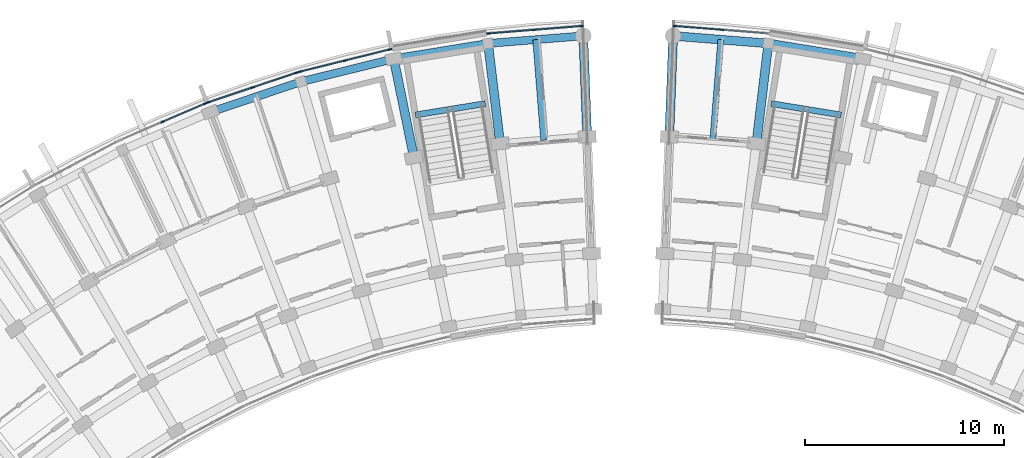
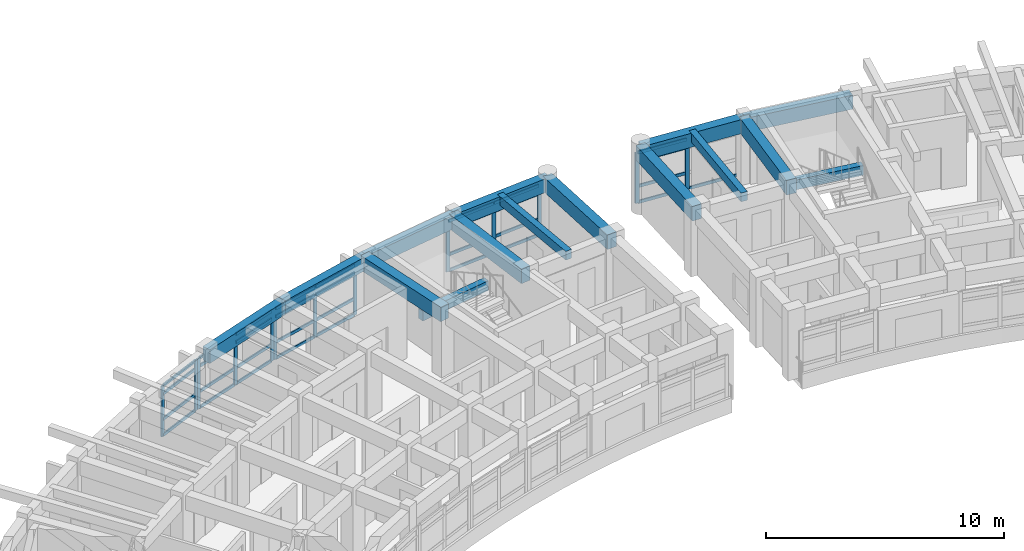
# One storey, part 27 of 83: 46 members, 15 beams, 5 elements without a shape of their own.
"""IFC4 building model written with IfcOpenShell, lengths in metres."""

from ifc_helpers import new_model, si_unit, direction, frame, origin, origin_2d, place, context, subcontext, project, spatial, rectangle, extrude, material, material_profile, profile_set, type_object, element, aggregate, save


model = new_model("IFC4")

# Units and contexts
model_context = context("Model", 3, precision=1e-05, world=origin(), true_north=direction((0.0, 1.0)))
body_context = subcontext(model_context, "Body", "Model", "MODEL_VIEW")
ifc_project = project(units=[si_unit("LENGTHUNIT", "METRE"), si_unit("AREAUNIT", "SQUARE_METRE"), si_unit("VOLUMEUNIT", "CUBIC_METRE"), si_unit("PLANEANGLEUNIT", "RADIAN"), si_unit("MASSUNIT", "GRAM", prefix="KILO")], contexts=[model_context])

# Site, building, storey
site_placement = place(None, origin())
site = spatial("IfcSite", under=ifc_project, at=site_placement, CompositionType="ELEMENT")
building_placement = place(site_placement, origin())
building = spatial("IfcBuilding", under=site, at=building_placement, Name="Zimvara Arc Housing Community", CompositionType="ELEMENT")
storey_placement = place(building_placement, frame((0.0, 0.0, 4.5)))
storey = spatial("IfcBuildingStorey", under=building, at=storey_placement, Name="L01", CompositionType="ELEMENT", Elevation=4.5)

# Beams
ifc_material_1 = material(Name="Concrete C40/50", Category="concrete")
ifc_material_profile_1 = material_profile(ifc_material_1, rectangle(XDim=0.300048828125, YDim=0.449951171875, at=origin_2d()), Name="RC 300x450")
ifc_profile_set_1 = profile_set([ifc_material_profile_1], Name="Concrete C40/50")
beam_type_1 = type_object("IfcBeamType", Name="BM-RC-300x450", PredefinedType="JOIST", material=ifc_profile_set_1)
for number, where, z_axis, x_axis, name in (
    (1, (40.7451171875, 98.08642578125, 3.135009765625), (-0.079171686291, 0.99686099537, 0.0), (-0.99686099537, -0.079171686291, 0.0), "bm:blkA:L01:joist:b9"),
    (2, (49.2548828125, 98.08642578125, 3.135009765625), (0.079171686291, 0.99686099537, 0.0), (-0.99686099537, 0.079171686291, 0.0), "bm:blkB:L01:joist:b0"),
):
    element("IfcBeam", number, at=place(storey_placement, frame(where, z_axis=z_axis, x_axis=x_axis)), inside=storey, type_object=beam_type_1, Name=name, PredefinedType="JOIST", context=body_context, shape_type="SweptSolid", body=[
        extrude(rectangle(XDim=0.300048828125, YDim=0.449951171875, at=origin_2d()), origin(), (0.0, 0.0, 1.0), 5.07568359375),
    ])
ifc_material_2 = material(Name="Concrete C40/50", Category="concrete")
ifc_material_profile_2 = material_profile(ifc_material_2, rectangle(XDim=0.300048828125, YDim=0.5, at=origin_2d()), Name="RC 300x500")
ifc_profile_set_2 = profile_set([ifc_material_profile_2], Name="Concrete C40/50")
beam_type_2 = type_object("IfcBeamType", Name="BM-RC-300x500", PredefinedType="BEAM", material=ifc_profile_set_2)
for number, where, z_axis, x_axis, name in (
    (3, (37.81103515625, 99.92919921875, 1.550048828125), (-0.987080057935, -0.160227835371, 0.0), (0.160227835371, -0.987080057935, 0.0), "bm:stair_trim:ST-A2:L01:mid"),
    (4, (55.712890625, 99.357177734375, 1.550048828125), (-0.987080057935, 0.160227835371, 0.0), (-0.160227835371, -0.987080057935, 0.0), "bm:stair_trim:ST-B1:L01:mid"),
):
    element("IfcBeam", number, at=place(storey_placement, frame(where, z_axis=z_axis, x_axis=x_axis)), inside=storey, type_object=beam_type_2, Name=name, PredefinedType="BEAM", context=body_context, shape_type="SweptSolid", body=[
        extrude(rectangle(XDim=0.300048828125, YDim=0.5, at=origin_2d()), origin(), (0.0, 0.0, 1.0), 3.570068359375),
    ])
ifc_material_3 = material(Name="Concrete C40/50", Category="concrete")
ifc_material_profile_3 = material_profile(ifc_material_3, rectangle(XDim=0.39990234375, YDim=0.699951171875, at=origin_2d()), Name="RC 400x700")
ifc_profile_set_3 = profile_set([ifc_material_profile_3], Name="Concrete C40/50")
beam_type_3 = type_object("IfcBeamType", Name="BM-RC-400x700", PredefinedType="BEAM", material=ifc_profile_set_3)
beam_1_placement = place(storey_placement, frame((23.97607421875, 99.49853515625, 3.010009765625), z_axis=(0.947877948153, 0.31863363822, 0.0), x_axis=(-0.31863363822, 0.947877948153, 0.0)))
element("IfcBeam", 5, at=beam_1_placement, inside=storey, type_object=beam_type_3, Name="bm:blkA:L01:chord:r3:b6", PredefinedType="BEAM", context=body_context, shape_type="SweptSolid", body=[
    extrude(rectangle(XDim=0.39990234375, YDim=0.699951171875, at=origin_2d()), origin(), (0.0, 0.0, 1.0), 4.807861328125),
])
beam_2_placement = place(storey_placement, frame((28.533447265625, 101.030517578125, 3.010009765625), z_axis=(0.970716235341, 0.240229037474, 0.0), x_axis=(-0.240229037474, 0.970716235341, 0.0)))
element("IfcBeam", 6, at=beam_2_placement, inside=storey, type_object=beam_type_3, Name="bm:blkA:L01:chord:r3:b7", PredefinedType="BEAM", context=body_context, shape_type="SweptSolid", body=[
    extrude(rectangle(XDim=0.39990234375, YDim=0.699951171875, at=origin_2d()), origin(), (0.0, 0.0, 1.0), 4.80810546875),
])
beam_3_placement = place(storey_placement, frame((33.20068359375, 102.185546875, 3.010009765625), z_axis=(0.987076839731, 0.160247659784, 0.0), x_axis=(-0.160247659784, 0.987076839731, 0.0)))
element("IfcBeam", 7, at=beam_3_placement, inside=storey, type_object=beam_type_3, Name="bm:blkA:L01:chord:r3:b8", PredefinedType="BEAM", context=body_context, shape_type="SweptSolid", body=[
    extrude(rectangle(XDim=0.39990234375, YDim=0.699951171875, at=origin_2d()), origin(), (0.0, 0.0, 1.0), 4.808349609375),
])
beam_4_placement = place(storey_placement, frame((37.94677734375, 102.9560546875, 3.010009765625), z_axis=(0.996861768207, 0.0791619548, 0.0), x_axis=(-0.0791619548, 0.996861768207, 0.0)))
element("IfcBeam", 8, at=beam_4_placement, inside=storey, type_object=beam_type_3, Name="bm:blkA:L01:chord:r3:b9", PredefinedType="BEAM", context=body_context, shape_type="SweptSolid", body=[
    extrude(rectangle(XDim=0.39990234375, YDim=0.699951171875, at=origin_2d()), origin(), (0.0, 0.0, 1.0), 4.80810546875),
])
ifc_material_4 = material(Name="Concrete C40/50", Category="concrete")
ifc_material_profile_4 = material_profile(ifc_material_4, rectangle(XDim=0.43994140625, YDim=0.719970703125, at=origin_2d()), Name="RC 440x720")
ifc_profile_set_4 = profile_set([ifc_material_profile_4], Name="Concrete C40/50")
beam_type_4 = type_object("IfcBeamType", Name="BM-RC-440x720", PredefinedType="BEAM", material=ifc_profile_set_4)
beam_5_placement = place(storey_placement, frame((47.26025390625, 103.336669921875, 3.0), z_axis=(0.996861768207, -0.0791619548, 0.0), x_axis=(0.0791619548, 0.996861768207, 0.0)))
element("IfcBeam", 9, at=beam_5_placement, inside=storey, type_object=beam_type_4, Name="bm:blkB:L01:chord:r3:b0", PredefinedType="BEAM", context=body_context, shape_type="SweptSolid", body=[
    extrude(rectangle(XDim=0.43994140625, YDim=0.719970703125, at=origin_2d()), origin(), (0.0, 0.0, 1.0), 4.80810546875),
])
beam_6_placement = place(storey_placement, frame((52.05322265625, 102.9560546875, 3.0), z_axis=(0.987076839731, -0.160247659784, 0.0), x_axis=(0.160247659784, 0.987076839731, 0.0)))
element("IfcBeam", 10, at=beam_6_placement, inside=storey, type_object=beam_type_4, Name="bm:blkB:L01:chord:r3:b1", PredefinedType="BEAM", context=body_context, shape_type="SweptSolid", body=[
    extrude(rectangle(XDim=0.43994140625, YDim=0.719970703125, at=origin_2d()), origin(), (0.0, 0.0, 1.0), 4.808349609375),
])
ifc_material_5 = material(Name="Concrete C40/50", Category="concrete")
ifc_material_profile_5 = material_profile(ifc_material_5, rectangle(XDim=0.449951171875, YDim=0.75, at=origin_2d()), Name="RC 450x750")
ifc_profile_set_5 = profile_set([ifc_material_profile_5], Name="Concrete C40/50")
beam_type_5 = type_object("IfcBeamType", Name="BM-RC-450x750", PredefinedType="BEAM", material=ifc_profile_set_5)
beam_7_placement = place(storey_placement, frame((34.21875, 97.208740234375, 2.985107421875), z_axis=(-0.200411962389, 0.97971171542, 0.0), x_axis=(-0.97971171542, -0.200411962389, 0.0)))
element("IfcBeam", 11, at=beam_7_placement, inside=storey, type_object=beam_type_5, Name="bm:blkA:L01:rad:b8:r23", PredefinedType="BEAM", context=body_context, shape_type="SweptSolid", body=[
    extrude(rectangle(XDim=0.449951171875, YDim=0.75, at=origin_2d()), origin(), (0.0, 0.0, 1.0), 5.079833984375),
])
for number, where, z_axis, x_axis, name in (
    (12, (38.55517578125, 97.91259765625, 2.985107421875), (-0.119762990499, 0.99280251113, 0.0), (-0.99280251113, -0.119762990499, 0.0), "bm:blkA:L01:rad:b9:r23"),
    (13, (42.934814453125, 98.26025390625, 2.985107421875), (-0.038398054907, 0.999262522753, 0.0), (-0.999262522753, -0.038398054907, 0.0), "bm:blkA:L01:rad:b10:r23"),
    (14, (47.065185546875, 98.26025390625, 2.985107421875), (0.038398054907, 0.999262522753, 0.0), (-0.999262522753, 0.038398054907, 0.0), "bm:blkB:L01:rad:b0:r23"),
    (15, (51.44482421875, 97.91259765625, 2.985107421875), (0.119762990499, 0.99280251113, 0.0), (-0.99280251113, 0.119762990499, 0.0), "bm:blkB:L01:rad:b1:r23"),
):
    element("IfcBeam", number, at=place(storey_placement, frame(where, z_axis=z_axis, x_axis=x_axis)), inside=storey, type_object=beam_type_5, Name=name, PredefinedType="BEAM", context=body_context, shape_type="SweptSolid", body=[
        extrude(rectangle(XDim=0.449951171875, YDim=0.75, at=origin_2d()), origin(), (0.0, 0.0, 1.0), 5.080078125),
    ])

# Curtain wall, members
ifc_material_6 = material(Name="Anodised Aluminium AW-6063", Category="aluminium")
curtain_wall_type_1 = type_object("IfcCurtainWallType", Name="CW-SYS-01", PredefinedType="USERDEFINED", material=ifc_material_6)
curtain_wall_1_placement = place(storey_placement, origin())
curtain_wall_1 = element("IfcCurtainWall", 16, at=curtain_wall_1_placement, inside=storey, type_object=curtain_wall_type_1, Name="cw:blkA:L01:out:b5", ObjectType="CURTAIN WALL", PredefinedType="USERDEFINED")
ifc_material_7 = material(Name="Anodised Aluminium AW-6063", Category="aluminium")
ifc_material_profile_6 = material_profile(ifc_material_7, rectangle(XDim=0.06494140625, YDim=0.195068359375, at=origin_2d()), Name="ALU 65x195")
ifc_profile_set_6 = profile_set([ifc_material_profile_6], Name="Anodised Aluminium AW-6063")
member_type_1 = type_object("IfcMemberType", Name="CWM-65x180", PredefinedType="MULLION", material=ifc_profile_set_6)
member_1_placement = place(storey_placement, frame((21.570068359375, 99.00830078125, 0.0), z_axis=(0.0, 0.0, 1.0), x_axis=(-0.394904211998, 0.918722299363, 0.0)))
member_1 = element("IfcMember", 17, at=member_1_placement, type_object=member_type_1, Name="CW01 mullion 2", PredefinedType="MULLION", context=body_context, shape_type="SweptSolid", body=[
    extrude(rectangle(XDim=0.06494140625, YDim=0.195068359375, at=origin_2d()), origin(), (0.0, 0.0, 1.0), 2.60009765625),
])
member_2_placement = place(storey_placement, frame((23.712646484375, 99.92919921875, 0.0), z_axis=(0.0, 0.0, 1.0), x_axis=(-0.394904211998, 0.918722299363, 0.0)))
member_2 = element("IfcMember", 18, at=member_2_placement, type_object=member_type_1, Name="CW01 mullion 3", PredefinedType="MULLION", context=body_context, shape_type="SweptSolid", body=[
    extrude(rectangle(XDim=0.06494140625, YDim=0.195068359375, at=origin_2d()), origin(), (0.0, 0.0, 1.0), 2.60009765625),
])

ifc_material_8 = material(Name="Anodised Aluminium AW-6063", Category="aluminium")
curtain_wall_type_2 = type_object("IfcCurtainWallType", Name="CW-SYS-03", PredefinedType="USERDEFINED", material=ifc_material_8)
curtain_wall_2_placement = place(storey_placement, origin())
curtain_wall_2 = element("IfcCurtainWall", 19, at=curtain_wall_2_placement, inside=storey, type_object=curtain_wall_type_2, Name="cw:blkA:L01:out:b6", ObjectType="CURTAIN WALL", PredefinedType="USERDEFINED")
member_3_placement = place(storey_placement, frame((23.88525390625, 99.9951171875, 0.0), z_axis=(0.0, 0.0, 1.0), x_axis=(-0.318628583921, 0.947879647164, 0.0)))
member_3 = element("IfcMember", 20, at=member_3_placement, type_object=member_type_1, Name="CW03 mullion 1", PredefinedType="MULLION", context=body_context, shape_type="SweptSolid", body=[
    extrude(rectangle(XDim=0.06494140625, YDim=0.195068359375, at=origin_2d()), origin(), (0.0, 0.0, 1.0), 2.60009765625),
])
member_4_placement = place(storey_placement, frame((26.095703125, 100.73828125, 0.0), z_axis=(0.0, 0.0, 1.0), x_axis=(-0.318628583921, 0.947879647164, 0.0)))
member_4 = element("IfcMember", 21, at=member_4_placement, type_object=member_type_1, Name="CW03 mullion 2", PredefinedType="MULLION", context=body_context, shape_type="SweptSolid", body=[
    extrude(rectangle(XDim=0.06494140625, YDim=0.195068359375, at=origin_2d()), origin(), (0.0, 0.0, 1.0), 2.60009765625),
])
member_5_placement = place(storey_placement, frame((28.305908203125, 101.481201171875, 0.0), z_axis=(0.0, 0.0, 1.0), x_axis=(-0.318628583921, 0.947879647164, 0.0)))
member_5 = element("IfcMember", 22, at=member_5_placement, type_object=member_type_1, Name="CW03 mullion 3", PredefinedType="MULLION", context=body_context, shape_type="SweptSolid", body=[
    extrude(rectangle(XDim=0.06494140625, YDim=0.195068359375, at=origin_2d()), origin(), (0.0, 0.0, 1.0), 2.60009765625),
])

ifc_material_9 = material(Name="Anodised Aluminium AW-6063", Category="aluminium")
curtain_wall_type_3 = type_object("IfcCurtainWallType", Name="CW-SYS-05", PredefinedType="USERDEFINED", material=ifc_material_9)
curtain_wall_3_placement = place(storey_placement, origin())
curtain_wall_3 = element("IfcCurtainWall", 23, at=curtain_wall_3_placement, inside=storey, type_object=curtain_wall_type_3, Name="cw:blkA:L01:out:b7", ObjectType="CURTAIN WALL", PredefinedType="USERDEFINED")
member_6_placement = place(storey_placement, frame((28.4833984375, 101.532958984375, 0.0), z_axis=(0.0, 0.0, 1.0), x_axis=(-0.240229711131, 0.970716068627, 0.0)))
member_6 = element("IfcMember", 24, at=member_6_placement, type_object=member_type_1, Name="CW05 mullion 1", PredefinedType="MULLION", context=body_context, shape_type="SweptSolid", body=[
    extrude(rectangle(XDim=0.06494140625, YDim=0.195068359375, at=origin_2d()), origin(), (0.0, 0.0, 1.0), 2.60009765625),
])
member_7_placement = place(storey_placement, frame((30.7470703125, 102.093017578125, 0.0), z_axis=(0.0, 0.0, 1.0), x_axis=(-0.240229711131, 0.970716068627, 0.0)))
member_7 = element("IfcMember", 25, at=member_7_placement, type_object=member_type_1, Name="CW05 mullion 2", PredefinedType="MULLION", context=body_context, shape_type="SweptSolid", body=[
    extrude(rectangle(XDim=0.06494140625, YDim=0.195068359375, at=origin_2d()), origin(), (0.0, 0.0, 1.0), 2.60009765625),
])
member_8_placement = place(storey_placement, frame((33.0107421875, 102.6533203125, 0.0), z_axis=(0.0, 0.0, 1.0), x_axis=(-0.240229711131, 0.970716068627, 0.0)))
member_8 = element("IfcMember", 26, at=member_8_placement, type_object=member_type_1, Name="CW05 mullion 3", PredefinedType="MULLION", context=body_context, shape_type="SweptSolid", body=[
    extrude(rectangle(XDim=0.06494140625, YDim=0.195068359375, at=origin_2d()), origin(), (0.0, 0.0, 1.0), 2.60009765625),
])

ifc_material_10 = material(Name="Anodised Aluminium AW-6063", Category="aluminium")
curtain_wall_type_4 = type_object("IfcCurtainWallType", Name="CW-SYS-07", PredefinedType="USERDEFINED", material=ifc_material_10)
curtain_wall_4_placement = place(storey_placement, origin())
curtain_wall_4 = element("IfcCurtainWall", 27, at=curtain_wall_4_placement, inside=storey, type_object=curtain_wall_type_4, Name="cw:blkA:L01:out:b9", ObjectType="CURTAIN WALL", PredefinedType="USERDEFINED")
member_9_placement = place(storey_placement, frame((37.97900390625, 103.459716796875, 0.0), z_axis=(0.0, 0.0, 1.0), x_axis=(-0.079153759607, 0.996862418963, 0.0)))
member_9 = element("IfcMember", 28, at=member_9_placement, type_object=member_type_1, Name="CW07 mullion 1", PredefinedType="MULLION", context=body_context, shape_type="SweptSolid", body=[
    extrude(rectangle(XDim=0.06494140625, YDim=0.195068359375, at=origin_2d()), origin(), (0.0, 0.0, 1.0), 2.60009765625),
])
member_10_placement = place(storey_placement, frame((40.3037109375, 103.644287109375, 0.0), z_axis=(0.0, 0.0, 1.0), x_axis=(-0.079153759607, 0.996862418963, 0.0)))
member_10 = element("IfcMember", 29, at=member_10_placement, type_object=member_type_1, Name="CW07 mullion 2", PredefinedType="MULLION", context=body_context, shape_type="SweptSolid", body=[
    extrude(rectangle(XDim=0.06494140625, YDim=0.195068359375, at=origin_2d()), origin(), (0.0, 0.0, 1.0), 2.60009765625),
])
member_11_placement = place(storey_placement, frame((42.62841796875, 103.828857421875, 0.0), z_axis=(0.0, 0.0, 1.0), x_axis=(-0.079153759607, 0.996862418963, 0.0)))
member_11 = element("IfcMember", 30, at=member_11_placement, type_object=member_type_1, Name="CW07 mullion 3", PredefinedType="MULLION", context=body_context, shape_type="SweptSolid", body=[
    extrude(rectangle(XDim=0.06494140625, YDim=0.195068359375, at=origin_2d()), origin(), (0.0, 0.0, 1.0), 2.60009765625),
])

curtain_wall_5_placement = place(storey_placement, origin())
curtain_wall_5 = element("IfcCurtainWall", 31, at=curtain_wall_5_placement, inside=storey, type_object=curtain_wall_type_1, Name="cw:blkB:L01:out:b0", ObjectType="CURTAIN WALL", PredefinedType="USERDEFINED")
member_12_placement = place(storey_placement, frame((47.37158203125, 103.828857421875, 0.0), z_axis=(0.0, 0.0, 1.0), x_axis=(0.079153759607, 0.996862418963, 0.0)))
member_12 = element("IfcMember", 32, at=member_12_placement, type_object=member_type_1, Name="CW01 mullion 1", PredefinedType="MULLION", context=body_context, shape_type="SweptSolid", body=[
    extrude(rectangle(XDim=0.06494140625, YDim=0.195068359375, at=origin_2d()), origin(), (0.0, 0.0, 1.0), 2.60009765625),
])
member_13_placement = place(storey_placement, frame((49.6962890625, 103.644287109375, 0.0), z_axis=(0.0, 0.0, 1.0), x_axis=(0.079153759607, 0.996862418963, 0.0)))
member_13 = element("IfcMember", 33, at=member_13_placement, type_object=member_type_1, Name="CW01 mullion 2", PredefinedType="MULLION", context=body_context, shape_type="SweptSolid", body=[
    extrude(rectangle(XDim=0.06494140625, YDim=0.195068359375, at=origin_2d()), origin(), (0.0, 0.0, 1.0), 2.60009765625),
])

# Member
ifc_material_11 = material(Name="Anodised Aluminium AW-6063", Category="aluminium")
ifc_material_profile_7 = material_profile(ifc_material_11, rectangle(XDim=0.06494140625, YDim=0.155029296875, at=origin_2d()), Name="ALU 65x155")
ifc_profile_set_7 = profile_set([ifc_material_profile_7], Name="Anodised Aluminium AW-6063")
member_type_2 = type_object("IfcMemberType", Name="CWT-65x140", PredefinedType="USERDEFINED", material=ifc_profile_set_7)
member_14_placement = place(storey_placement, frame((21.60009765625, 99.02099609375, 0.032470703125), z_axis=(0.918704360712, 0.394945942641, 0.0), x_axis=(-0.394945942641, 0.918704360712, 0.0)))
member_14 = element("IfcMember", 34, at=member_14_placement, type_object=member_type_2, Name="CW01 transom 2.1", ObjectType="TRANSOM", PredefinedType="USERDEFINED", context=body_context, shape_type="SweptSolid", body=[
    extrude(rectangle(XDim=0.06494140625, YDim=0.155029296875, at=origin_2d()), origin(), (0.0, 0.0, 1.0), 2.266845703125),
])

member_15_placement = place(storey_placement, frame((21.60009765625, 99.02099609375, 0.85009765625), z_axis=(0.918704360712, 0.394945942641, 0.0), x_axis=(-0.394945942641, 0.918704360712, 0.0)))
member_15 = element("IfcMember", 35, at=member_15_placement, type_object=member_type_2, Name="CW01 transom 2.2", ObjectType="TRANSOM", PredefinedType="USERDEFINED", context=body_context, shape_type="SweptSolid", body=[
    extrude(rectangle(XDim=0.06494140625, YDim=0.155029296875, at=origin_2d()), origin(), (0.0, 0.0, 1.0), 2.266845703125),
])

member_16_placement = place(storey_placement, frame((21.60009765625, 99.02099609375, 2.14990234375), z_axis=(0.918704360712, 0.394945942641, 0.0), x_axis=(-0.394945942641, 0.918704360712, 0.0)))
member_16 = element("IfcMember", 36, at=member_16_placement, type_object=member_type_2, Name="CW01 transom 2.3", ObjectType="TRANSOM", PredefinedType="USERDEFINED", context=body_context, shape_type="SweptSolid", body=[
    extrude(rectangle(XDim=0.06494140625, YDim=0.155029296875, at=origin_2d()), origin(), (0.0, 0.0, 1.0), 2.266845703125),
])

member_17_placement = place(storey_placement, frame((21.60009765625, 99.02099609375, 2.5673828125), z_axis=(0.918704360712, 0.394945942641, 0.0), x_axis=(-0.394945942641, 0.918704360712, 0.0)))
member_17 = element("IfcMember", 37, at=member_17_placement, type_object=member_type_2, Name="CW01 transom 2.4", ObjectType="TRANSOM", PredefinedType="USERDEFINED", context=body_context, shape_type="SweptSolid", body=[
    extrude(rectangle(XDim=0.06494140625, YDim=0.155029296875, at=origin_2d()), origin(), (0.0, 0.0, 1.0), 2.266845703125),
])

aggregate(curtain_wall_1, [member_1, member_2, member_14, member_15, member_16, member_17])

member_18_placement = place(storey_placement, frame((23.916015625, 100.00537109375, 0.032470703125), z_axis=(0.947861605379, 0.318682250916, 0.0), x_axis=(-0.318682250916, 0.947861605379, 0.0)))
member_18 = element("IfcMember", 38, at=member_18_placement, type_object=member_type_2, Name="CW03 transom 1.1", ObjectType="TRANSOM", PredefinedType="USERDEFINED", context=body_context, shape_type="SweptSolid", body=[
    extrude(rectangle(XDim=0.06494140625, YDim=0.155029296875, at=origin_2d()), origin(), (0.0, 0.0, 1.0), 2.266845703125),
])

member_19_placement = place(storey_placement, frame((23.916015625, 100.00537109375, 0.85009765625), z_axis=(0.947861605379, 0.318682250916, 0.0), x_axis=(-0.318682250916, 0.947861605379, 0.0)))
member_19 = element("IfcMember", 39, at=member_19_placement, type_object=member_type_2, Name="CW03 transom 1.2", ObjectType="TRANSOM", PredefinedType="USERDEFINED", context=body_context, shape_type="SweptSolid", body=[
    extrude(rectangle(XDim=0.06494140625, YDim=0.155029296875, at=origin_2d()), origin(), (0.0, 0.0, 1.0), 2.266845703125),
])

member_20_placement = place(storey_placement, frame((23.916015625, 100.00537109375, 2.14990234375), z_axis=(0.947861605379, 0.318682250916, 0.0), x_axis=(-0.318682250916, 0.947861605379, 0.0)))
member_20 = element("IfcMember", 40, at=member_20_placement, type_object=member_type_2, Name="CW03 transom 1.3", ObjectType="TRANSOM", PredefinedType="USERDEFINED", context=body_context, shape_type="SweptSolid", body=[
    extrude(rectangle(XDim=0.06494140625, YDim=0.155029296875, at=origin_2d()), origin(), (0.0, 0.0, 1.0), 2.266845703125),
])

member_21_placement = place(storey_placement, frame((23.916015625, 100.00537109375, 2.5673828125), z_axis=(0.947861605379, 0.318682250916, 0.0), x_axis=(-0.318682250916, 0.947861605379, 0.0)))
member_21 = element("IfcMember", 41, at=member_21_placement, type_object=member_type_2, Name="CW03 transom 1.4", ObjectType="TRANSOM", PredefinedType="USERDEFINED", context=body_context, shape_type="SweptSolid", body=[
    extrude(rectangle(XDim=0.06494140625, YDim=0.155029296875, at=origin_2d()), origin(), (0.0, 0.0, 1.0), 2.266845703125),
])

member_22_placement = place(storey_placement, frame((26.12646484375, 100.74853515625, 0.032470703125), z_axis=(0.947861605379, 0.318682250916, 0.0), x_axis=(-0.318682250916, 0.947861605379, 0.0)))
member_22 = element("IfcMember", 42, at=member_22_placement, type_object=member_type_2, Name="CW03 transom 2.1", ObjectType="TRANSOM", PredefinedType="USERDEFINED", context=body_context, shape_type="SweptSolid", body=[
    extrude(rectangle(XDim=0.06494140625, YDim=0.155029296875, at=origin_2d()), origin(), (0.0, 0.0, 1.0), 2.266845703125),
])

member_23_placement = place(storey_placement, frame((26.12646484375, 100.74853515625, 0.85009765625), z_axis=(0.947861605379, 0.318682250916, 0.0), x_axis=(-0.318682250916, 0.947861605379, 0.0)))
member_23 = element("IfcMember", 43, at=member_23_placement, type_object=member_type_2, Name="CW03 transom 2.2", ObjectType="TRANSOM", PredefinedType="USERDEFINED", context=body_context, shape_type="SweptSolid", body=[
    extrude(rectangle(XDim=0.06494140625, YDim=0.155029296875, at=origin_2d()), origin(), (0.0, 0.0, 1.0), 2.266845703125),
])

member_24_placement = place(storey_placement, frame((26.12646484375, 100.74853515625, 2.14990234375), z_axis=(0.947861605379, 0.318682250916, 0.0), x_axis=(-0.318682250916, 0.947861605379, 0.0)))
member_24 = element("IfcMember", 44, at=member_24_placement, type_object=member_type_2, Name="CW03 transom 2.3", ObjectType="TRANSOM", PredefinedType="USERDEFINED", context=body_context, shape_type="SweptSolid", body=[
    extrude(rectangle(XDim=0.06494140625, YDim=0.155029296875, at=origin_2d()), origin(), (0.0, 0.0, 1.0), 2.266845703125),
])

member_25_placement = place(storey_placement, frame((26.12646484375, 100.74853515625, 2.5673828125), z_axis=(0.947861605379, 0.318682250916, 0.0), x_axis=(-0.318682250916, 0.947861605379, 0.0)))
member_25 = element("IfcMember", 45, at=member_25_placement, type_object=member_type_2, Name="CW03 transom 2.4", ObjectType="TRANSOM", PredefinedType="USERDEFINED", context=body_context, shape_type="SweptSolid", body=[
    extrude(rectangle(XDim=0.06494140625, YDim=0.155029296875, at=origin_2d()), origin(), (0.0, 0.0, 1.0), 2.266845703125),
])

aggregate(curtain_wall_2, [member_3, member_4, member_5, member_18, member_19, member_20, member_21, member_22, member_23, member_24, member_25])

member_26_placement = place(storey_placement, frame((28.51513671875, 101.540771484375, 0.032470703125), z_axis=(0.970728837212, 0.240178110172, 0.0), x_axis=(-0.240178110172, 0.970728837212, 0.0)))
member_26 = element("IfcMember", 46, at=member_26_placement, type_object=member_type_2, Name="CW05 transom 1.1", ObjectType="TRANSOM", PredefinedType="USERDEFINED", context=body_context, shape_type="SweptSolid", body=[
    extrude(rectangle(XDim=0.06494140625, YDim=0.155029296875, at=origin_2d()), origin(), (0.0, 0.0, 1.0), 2.266845703125),
])

member_27_placement = place(storey_placement, frame((28.51513671875, 101.540771484375, 0.85009765625), z_axis=(0.970728837212, 0.240178110172, 0.0), x_axis=(-0.240178110172, 0.970728837212, 0.0)))
member_27 = element("IfcMember", 47, at=member_27_placement, type_object=member_type_2, Name="CW05 transom 1.2", ObjectType="TRANSOM", PredefinedType="USERDEFINED", context=body_context, shape_type="SweptSolid", body=[
    extrude(rectangle(XDim=0.06494140625, YDim=0.155029296875, at=origin_2d()), origin(), (0.0, 0.0, 1.0), 2.266845703125),
])

member_28_placement = place(storey_placement, frame((28.51513671875, 101.540771484375, 2.14990234375), z_axis=(0.970728837212, 0.240178110172, 0.0), x_axis=(-0.240178110172, 0.970728837212, 0.0)))
member_28 = element("IfcMember", 48, at=member_28_placement, type_object=member_type_2, Name="CW05 transom 1.3", ObjectType="TRANSOM", PredefinedType="USERDEFINED", context=body_context, shape_type="SweptSolid", body=[
    extrude(rectangle(XDim=0.06494140625, YDim=0.155029296875, at=origin_2d()), origin(), (0.0, 0.0, 1.0), 2.266845703125),
])

member_29_placement = place(storey_placement, frame((28.51513671875, 101.540771484375, 2.5673828125), z_axis=(0.970728837212, 0.240178110172, 0.0), x_axis=(-0.240178110172, 0.970728837212, 0.0)))
member_29 = element("IfcMember", 49, at=member_29_placement, type_object=member_type_2, Name="CW05 transom 1.4", ObjectType="TRANSOM", PredefinedType="USERDEFINED", context=body_context, shape_type="SweptSolid", body=[
    extrude(rectangle(XDim=0.06494140625, YDim=0.155029296875, at=origin_2d()), origin(), (0.0, 0.0, 1.0), 2.266845703125),
])

member_30_placement = place(storey_placement, frame((30.77880859375, 102.100830078125, 0.032470703125), z_axis=(0.970703721793, 0.240279596507, 0.0), x_axis=(-0.240279596507, 0.970703721793, 0.0)))
member_30 = element("IfcMember", 50, at=member_30_placement, type_object=member_type_2, Name="CW05 transom 2.1", ObjectType="TRANSOM", PredefinedType="USERDEFINED", context=body_context, shape_type="SweptSolid", body=[
    extrude(rectangle(XDim=0.06494140625, YDim=0.155029296875, at=origin_2d()), origin(), (0.0, 0.0, 1.0), 2.266845703125),
])

member_31_placement = place(storey_placement, frame((30.77880859375, 102.100830078125, 0.85009765625), z_axis=(0.970703721793, 0.240279596507, 0.0), x_axis=(-0.240279596507, 0.970703721793, 0.0)))
member_31 = element("IfcMember", 51, at=member_31_placement, type_object=member_type_2, Name="CW05 transom 2.2", ObjectType="TRANSOM", PredefinedType="USERDEFINED", context=body_context, shape_type="SweptSolid", body=[
    extrude(rectangle(XDim=0.06494140625, YDim=0.155029296875, at=origin_2d()), origin(), (0.0, 0.0, 1.0), 2.266845703125),
])

member_32_placement = place(storey_placement, frame((30.77880859375, 102.100830078125, 2.14990234375), z_axis=(0.970703721793, 0.240279596507, 0.0), x_axis=(-0.240279596507, 0.970703721793, 0.0)))
member_32 = element("IfcMember", 52, at=member_32_placement, type_object=member_type_2, Name="CW05 transom 2.3", ObjectType="TRANSOM", PredefinedType="USERDEFINED", context=body_context, shape_type="SweptSolid", body=[
    extrude(rectangle(XDim=0.06494140625, YDim=0.155029296875, at=origin_2d()), origin(), (0.0, 0.0, 1.0), 2.266845703125),
])

member_33_placement = place(storey_placement, frame((30.77880859375, 102.100830078125, 2.5673828125), z_axis=(0.970703721793, 0.240279596507, 0.0), x_axis=(-0.240279596507, 0.970703721793, 0.0)))
member_33 = element("IfcMember", 53, at=member_33_placement, type_object=member_type_2, Name="CW05 transom 2.4", ObjectType="TRANSOM", PredefinedType="USERDEFINED", context=body_context, shape_type="SweptSolid", body=[
    extrude(rectangle(XDim=0.06494140625, YDim=0.155029296875, at=origin_2d()), origin(), (0.0, 0.0, 1.0), 2.266845703125),
])

aggregate(curtain_wall_3, [member_6, member_7, member_8, member_26, member_27, member_28, member_29, member_30, member_31, member_32, member_33])

member_34_placement = place(storey_placement, frame((38.011474609375, 103.46240234375, 0.032470703125), z_axis=(0.996862021022, 0.079158771116, 0.0), x_axis=(-0.079158771116, 0.996862021022, 0.0)))
member_34 = element("IfcMember", 54, at=member_34_placement, type_object=member_type_2, Name="CW07 transom 1.1", ObjectType="TRANSOM", PredefinedType="USERDEFINED", context=body_context, shape_type="SweptSolid", body=[
    extrude(rectangle(XDim=0.06494140625, YDim=0.155029296875, at=origin_2d()), origin(), (0.0, 0.0, 1.0), 2.266845703125),
])

member_35_placement = place(storey_placement, frame((38.011474609375, 103.46240234375, 0.85009765625), z_axis=(0.996862021022, 0.079158771116, 0.0), x_axis=(-0.079158771116, 0.996862021022, 0.0)))
member_35 = element("IfcMember", 55, at=member_35_placement, type_object=member_type_2, Name="CW07 transom 1.2", ObjectType="TRANSOM", PredefinedType="USERDEFINED", context=body_context, shape_type="SweptSolid", body=[
    extrude(rectangle(XDim=0.06494140625, YDim=0.155029296875, at=origin_2d()), origin(), (0.0, 0.0, 1.0), 2.266845703125),
])

member_36_placement = place(storey_placement, frame((38.011474609375, 103.46240234375, 2.14990234375), z_axis=(0.996862021022, 0.079158771116, 0.0), x_axis=(-0.079158771116, 0.996862021022, 0.0)))
member_36 = element("IfcMember", 56, at=member_36_placement, type_object=member_type_2, Name="CW07 transom 1.3", ObjectType="TRANSOM", PredefinedType="USERDEFINED", context=body_context, shape_type="SweptSolid", body=[
    extrude(rectangle(XDim=0.06494140625, YDim=0.155029296875, at=origin_2d()), origin(), (0.0, 0.0, 1.0), 2.266845703125),
])

member_37_placement = place(storey_placement, frame((38.011474609375, 103.46240234375, 2.5673828125), z_axis=(0.996862021022, 0.079158771116, 0.0), x_axis=(-0.079158771116, 0.996862021022, 0.0)))
member_37 = element("IfcMember", 57, at=member_37_placement, type_object=member_type_2, Name="CW07 transom 1.4", ObjectType="TRANSOM", PredefinedType="USERDEFINED", context=body_context, shape_type="SweptSolid", body=[
    extrude(rectangle(XDim=0.06494140625, YDim=0.155029296875, at=origin_2d()), origin(), (0.0, 0.0, 1.0), 2.266845703125),
])

member_38_placement = place(storey_placement, frame((40.336181640625, 103.64697265625, 0.032470703125), z_axis=(0.996862021022, 0.079158771116, 0.0), x_axis=(-0.079158771116, 0.996862021022, 0.0)))
member_38 = element("IfcMember", 58, at=member_38_placement, type_object=member_type_2, Name="CW07 transom 2.1", ObjectType="TRANSOM", PredefinedType="USERDEFINED", context=body_context, shape_type="SweptSolid", body=[
    extrude(rectangle(XDim=0.06494140625, YDim=0.155029296875, at=origin_2d()), origin(), (0.0, 0.0, 1.0), 2.266845703125),
])

member_39_placement = place(storey_placement, frame((40.336181640625, 103.64697265625, 0.85009765625), z_axis=(0.996862021022, 0.079158771116, 0.0), x_axis=(-0.079158771116, 0.996862021022, 0.0)))
member_39 = element("IfcMember", 59, at=member_39_placement, type_object=member_type_2, Name="CW07 transom 2.2", ObjectType="TRANSOM", PredefinedType="USERDEFINED", context=body_context, shape_type="SweptSolid", body=[
    extrude(rectangle(XDim=0.06494140625, YDim=0.155029296875, at=origin_2d()), origin(), (0.0, 0.0, 1.0), 2.266845703125),
])

member_40_placement = place(storey_placement, frame((40.336181640625, 103.64697265625, 2.14990234375), z_axis=(0.996862021022, 0.079158771116, 0.0), x_axis=(-0.079158771116, 0.996862021022, 0.0)))
member_40 = element("IfcMember", 60, at=member_40_placement, type_object=member_type_2, Name="CW07 transom 2.3", ObjectType="TRANSOM", PredefinedType="USERDEFINED", context=body_context, shape_type="SweptSolid", body=[
    extrude(rectangle(XDim=0.06494140625, YDim=0.155029296875, at=origin_2d()), origin(), (0.0, 0.0, 1.0), 2.266845703125),
])

member_41_placement = place(storey_placement, frame((40.336181640625, 103.64697265625, 2.5673828125), z_axis=(0.996862021022, 0.079158771116, 0.0), x_axis=(-0.079158771116, 0.996862021022, 0.0)))
member_41 = element("IfcMember", 61, at=member_41_placement, type_object=member_type_2, Name="CW07 transom 2.4", ObjectType="TRANSOM", PredefinedType="USERDEFINED", context=body_context, shape_type="SweptSolid", body=[
    extrude(rectangle(XDim=0.06494140625, YDim=0.155029296875, at=origin_2d()), origin(), (0.0, 0.0, 1.0), 2.266845703125),
])

aggregate(curtain_wall_4, [member_9, member_10, member_11, member_34, member_35, member_36, member_37, member_38, member_39, member_40, member_41])

member_42_placement = place(storey_placement, frame((47.404052734375, 103.826416015625, 0.032470703125), z_axis=(0.996862021022, -0.079158771116, 0.0), x_axis=(0.079158771116, 0.996862021022, 0.0)))
member_42 = element("IfcMember", 62, at=member_42_placement, type_object=member_type_2, Name="CW01 transom 1.1", ObjectType="TRANSOM", PredefinedType="USERDEFINED", context=body_context, shape_type="SweptSolid", body=[
    extrude(rectangle(XDim=0.06494140625, YDim=0.155029296875, at=origin_2d()), origin(), (0.0, 0.0, 1.0), 2.266845703125),
])

member_43_placement = place(storey_placement, frame((47.404052734375, 103.826416015625, 0.85009765625), z_axis=(0.996862021022, -0.079158771116, 0.0), x_axis=(0.079158771116, 0.996862021022, 0.0)))
member_43 = element("IfcMember", 63, at=member_43_placement, type_object=member_type_2, Name="CW01 transom 1.2", ObjectType="TRANSOM", PredefinedType="USERDEFINED", context=body_context, shape_type="SweptSolid", body=[
    extrude(rectangle(XDim=0.06494140625, YDim=0.155029296875, at=origin_2d()), origin(), (0.0, 0.0, 1.0), 2.266845703125),
])

member_44_placement = place(storey_placement, frame((47.404052734375, 103.826416015625, 2.14990234375), z_axis=(0.996862021022, -0.079158771116, 0.0), x_axis=(0.079158771116, 0.996862021022, 0.0)))
member_44 = element("IfcMember", 64, at=member_44_placement, type_object=member_type_2, Name="CW01 transom 1.3", ObjectType="TRANSOM", PredefinedType="USERDEFINED", context=body_context, shape_type="SweptSolid", body=[
    extrude(rectangle(XDim=0.06494140625, YDim=0.155029296875, at=origin_2d()), origin(), (0.0, 0.0, 1.0), 2.266845703125),
])

member_45_placement = place(storey_placement, frame((47.404052734375, 103.826416015625, 2.5673828125), z_axis=(0.996862021022, -0.079158771116, 0.0), x_axis=(0.079158771116, 0.996862021022, 0.0)))
member_45 = element("IfcMember", 65, at=member_45_placement, type_object=member_type_2, Name="CW01 transom 1.4", ObjectType="TRANSOM", PredefinedType="USERDEFINED", context=body_context, shape_type="SweptSolid", body=[
    extrude(rectangle(XDim=0.06494140625, YDim=0.155029296875, at=origin_2d()), origin(), (0.0, 0.0, 1.0), 2.266845703125),
])

member_46_placement = place(storey_placement, frame((49.728759765625, 103.641845703125, 0.032470703125), z_axis=(0.996862021022, -0.079158771116, 0.0), x_axis=(0.079158771116, 0.996862021022, 0.0)))
member_46 = element("IfcMember", 66, at=member_46_placement, type_object=member_type_2, Name="CW01 transom 2.1", ObjectType="TRANSOM", PredefinedType="USERDEFINED", context=body_context, shape_type="SweptSolid", body=[
    extrude(rectangle(XDim=0.06494140625, YDim=0.155029296875, at=origin_2d()), origin(), (0.0, 0.0, 1.0), 2.266845703125),
])

aggregate(curtain_wall_5, [member_12, member_13, member_42, member_43, member_44, member_45, member_46])

save(model, "model.ifc")
